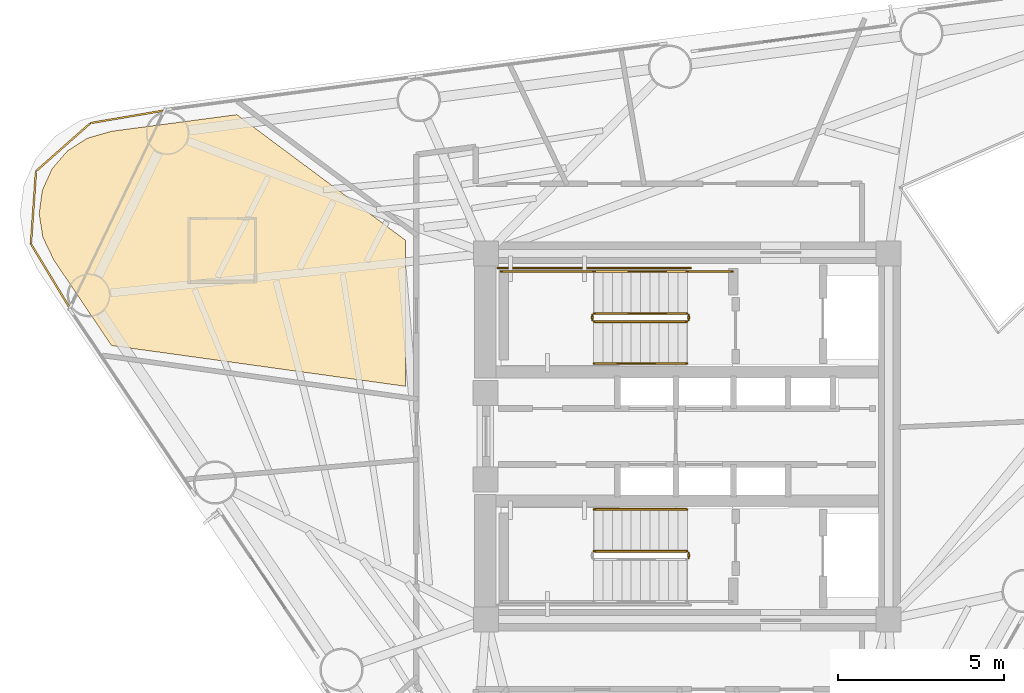
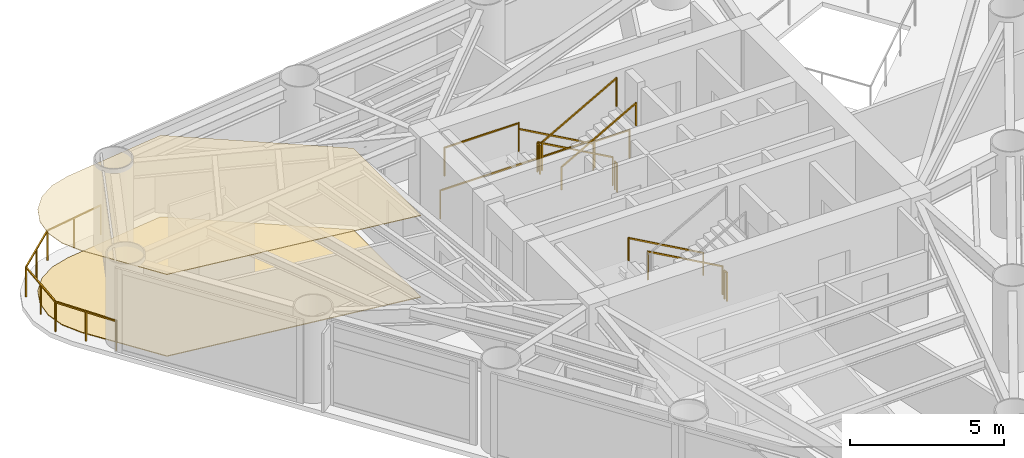
# One storey, part 8 of 9: 13 railings, 2 coverings.
"""IFC4 building model written with IfcOpenShell, lengths in metres."""

from ifc_helpers import new_model, si_unit, direction, frame, origin, origin_2d, place, context, subcontext, project, spatial, polyline, rectangle, outline, extrude, material, layer, layer_set, type_object, element, save


model = new_model("IFC4")

# Units and contexts
model_context = context("Model", 3, precision=1e-05, world=origin(), true_north=direction((0.0, 1.0)))
body_context = subcontext(model_context, "Body", "Model", "MODEL_VIEW")
ifc_project = project(units=[si_unit("LENGTHUNIT", "METRE"), si_unit("AREAUNIT", "SQUARE_METRE"), si_unit("VOLUMEUNIT", "CUBIC_METRE"), si_unit("PLANEANGLEUNIT", "RADIAN"), si_unit("MASSUNIT", "GRAM", prefix="KILO")], contexts=[model_context])

# Site, building, storey
site_placement = place(None, origin())
site = spatial("IfcSite", under=ifc_project, at=site_placement, CompositionType="ELEMENT")
building_placement = place(site_placement, origin())
building = spatial("IfcBuilding", under=site, at=building_placement, Name="Yunling Apex Tower", CompositionType="ELEMENT")
storey_placement = place(building_placement, frame((0.0, 0.0, 179.449951171875)))
storey = spatial("IfcBuildingStorey", under=building, at=storey_placement, Name="L44", CompositionType="ELEMENT", Elevation=179.449951171875)

# Coverings
ifc_material_1 = material(Name="Acoustic mineral fibre ceiling")
ifc_layer_1 = layer(ifc_material_1, 0.02490234375)
ifc_layer_set_1 = layer_set([ifc_layer_1], Name="Acoustic mineral fibre ceiling")
covering_type_1 = type_object("IfcCoveringType", Name="CV-CLG-1", PredefinedType="CEILING", material=ifc_layer_set_1)
covering_1_placement = place(storey_placement, frame((0.0, 0.0, 3.2451171875)))
element("IfcCovering", 1, at=covering_1_placement, inside=storey, type_object=covering_type_1, Name="CV-CL-SP-L44-GR10", PredefinedType="CEILING", context=body_context, shape_type="SweptSolid", body=[
    extrude(outline(polyline([(-19.392822265625, 7.396484375), (-19.10009765625, 8.046630859375), (-18.6337890625, 8.585693359375), (-18.032470703125, 8.96875), (-17.306396484375, 9.175048828125), (-13.54541015625, 9.6728515625), (-8.47998046875, 5.901611328125), (-8.47998046875, 1.50830078125), (-17.31201171875, 2.73193359375), (-19.0478515625, 5.305419921875), (-19.375, 5.985595703125), (-19.487060546875, 6.689697265625), (-19.392822265625, 7.396484375)])), origin(), (0.0, 0.0, 1.0), 0.02490234375),
])
ifc_material_2 = material(Name="Polished granite stone", Category="masonry")
ifc_layer_2 = layer(ifc_material_2, 0.030029296875)
ifc_layer_set_2 = layer_set([ifc_layer_2], Name="Polished granite stone")
covering_type_2 = type_object("IfcCoveringType", Name="CV-FLR-1", PredefinedType="FLOORING", material=ifc_layer_set_2)
covering_2_placement = place(storey_placement, origin())
element("IfcCovering", 2, at=covering_2_placement, inside=storey, type_object=covering_type_2, Name="CV-FL-SP-L44-GR10", PredefinedType="FLOORING", context=body_context, shape_type="SweptSolid", body=[
    extrude(outline(polyline([(-19.392822265625, 7.396484375), (-19.10009765625, 8.046630859375), (-18.6337890625, 8.585693359375), (-18.032470703125, 8.96875), (-17.306396484375, 9.175048828125), (-13.54541015625, 9.6728515625), (-8.47998046875, 5.901611328125), (-8.47998046875, 1.50830078125), (-17.31201171875, 2.73193359375), (-19.0478515625, 5.305419921875), (-19.375, 5.985595703125), (-19.487060546875, 6.689697265625), (-19.392822265625, 7.396484375)])), origin(), (0.0, 0.0, 1.0), 0.030029296875),
])

# Railings
ifc_material_3 = material(Name="Bronze anodised aluminium", Category="aluminium")
railing_type_1 = type_object("IfcRailingType", Name="RL-BAL-1200", PredefinedType="BALUSTRADE", material=ifc_material_3)
railing_1_placement = place(storey_placement, frame((-18.567138671875, 3.859375, 0.0)))
element("IfcRailing", 3, at=railing_1_placement, inside=storey, type_object=railing_type_1, Name="RL-CRNSILL-L44-2", PredefinedType="BALUSTRADE", context=body_context, shape_type="SweptSolid", body=[
    extrude(rectangle(XDim=0.0439453125, YDim=0.0439453125, at=origin_2d()), origin(), (0.0, 0.0, 1.0), 1.199951171875),
    extrude(rectangle(XDim=0.0439453125, YDim=0.0439453125, at=origin_2d()), frame((-1.1669921875, 1.927001953125, 0.0)), (0.0, 0.0, 1.0), 1.199951171875),
    extrude(rectangle(XDim=0.050048828125, YDim=0.050048828125, at=origin_2d()), frame((-0.019775390625, 0.03271484375, 1.1748046875), z_axis=(-0.518013473605, 0.855372457566, 0.0), x_axis=(-0.855372457566, -0.518013473605, 0.0)), (0.0, 0.0, 1.0), 2.17626953125),
    extrude(rectangle(XDim=0.0439453125, YDim=0.0439453125, at=origin_2d()), frame((-0.58349609375, 0.96337890625, 0.0)), (0.0, 0.0, 1.0), 1.14599609375),
    extrude(rectangle(XDim=0.0439453125, YDim=0.0439453125, at=origin_2d()), frame((-1.015380859375, 4.114501953125, 0.0)), (0.0, 0.0, 1.0), 1.199951171875),
    extrude(rectangle(XDim=0.050048828125, YDim=0.050048828125, at=origin_2d()), frame((-1.164306640625, 1.96533203125, 1.1748046875), z_axis=(0.069142168872, 0.997606816578, 0.0), x_axis=(-0.997606816578, 0.069142168872, 0.0)), (0.0, 0.0, 1.0), 2.115966796875),
    extrude(rectangle(XDim=0.0439453125, YDim=0.0439453125, at=origin_2d()), frame((-1.09130859375, 3.020751953125, 0.0)), (0.0, 0.0, 1.0), 1.14599609375),
    extrude(rectangle(XDim=0.0439453125, YDim=0.0439453125, at=origin_2d()), frame((0.623046875, 5.560791015625, 0.0)), (0.0, 0.0, 1.0), 1.199951171875),
    extrude(rectangle(XDim=0.050048828125, YDim=0.050048828125, at=origin_2d()), frame((-0.986572265625, 4.139892578125, 1.1748046875), z_axis=(0.749697655483, 0.661780496361, 0.0), x_axis=(-0.661780496361, 0.749697655483, 0.0)), (0.0, 0.0, 1.0), 2.10888671875),
    extrude(rectangle(XDim=0.0439453125, YDim=0.0439453125, at=origin_2d()), frame((-0.1962890625, 4.837646484375, 0.0)), (0.0, 0.0, 1.0), 1.14599609375),
    extrude(rectangle(XDim=0.0439453125, YDim=0.0439453125, at=origin_2d()), frame((2.8447265625, 5.93896484375, 0.0)), (0.0, 0.0, 1.0), 1.199951171875),
    extrude(rectangle(XDim=0.050048828125, YDim=0.050048828125, at=origin_2d()), frame((0.660888671875, 5.567138671875, 1.1748046875), z_axis=(0.985820025914, 0.167806068147, 0.0), x_axis=(-0.167806068147, 0.985820025914, 0.0)), (0.0, 0.0, 1.0), 2.177001953125),
    extrude(rectangle(XDim=0.0439453125, YDim=0.0439453125, at=origin_2d()), frame((1.73388671875, 5.75, 0.0)), (0.0, 0.0, 1.0), 1.14599609375),
])
ifc_material_4 = material(Name="Steel Q355B", Category="steel")
railing_type_2 = type_object("IfcRailingType", Name="RL-GRD-1150", PredefinedType="GUARDRAIL", material=ifc_material_4)
railing_2_placement = place(storey_placement, frame((-0.010009765625, 3.699951171875, 0.156982421875)))
element("IfcRailing", 4, at=railing_2_placement, inside=storey, type_object=railing_type_2, Name="L44 ST-1 stair guard 1", PredefinedType="GUARDRAIL", context=body_context, shape_type="SweptSolid", body=[
    extrude(rectangle(XDim=0.0439453125, YDim=0.0439453125, at=origin_2d()), origin(), (0.0, 0.0, 1.0), 1.14990234375),
    extrude(rectangle(XDim=0.0439453125, YDim=0.0439453125, at=origin_2d()), frame((-2.800048828125, 0.0, 1.568115234375)), (0.0, 0.0, 1.0), 1.14990234375),
    extrude(rectangle(XDim=0.050048828125, YDim=0.050048828125, at=origin_2d()), frame((-0.033447265625, 0.0, 1.1435546875), z_axis=(-0.872494340497, 0.0, 0.48862421737), x_axis=(0.0, -1.0, 0.0)), (0.0, 0.0, 1.0), 3.132568359375),
])
railing_3_placement = place(storey_placement, frame((-2.860107421875, 3.64990234375, 1.72509765625)))
element("IfcRailing", 5, at=railing_3_placement, inside=storey, type_object=railing_type_2, Name="L44 ST-1 stair guard 2", PredefinedType="GUARDRAIL", context=body_context, shape_type="SweptSolid", body=[
    extrude(rectangle(XDim=0.0439453125, YDim=0.0439453125, at=origin_2d()), origin(), (0.0, 0.0, 1.0), 1.14990234375),
    extrude(rectangle(XDim=0.0439453125, YDim=0.0439453125, at=origin_2d()), frame((0.0, -0.14990234375, 0.0)), (0.0, 0.0, 1.0), 1.14990234375),
    extrude(rectangle(XDim=0.050048828125, YDim=0.050048828125, at=origin_2d()), frame((0.0, -0.038330078125, 1.125), z_axis=(0.0, -1.0, 0.0), x_axis=(1.0, 0.0, 0.0)), (0.0, 0.0, 1.0), 0.0732421875),
])
railing_4_placement = place(storey_placement, frame((-2.81005859375, 4.9599609375, 1.72509765625)))
element("IfcRailing", 6, at=railing_4_placement, inside=storey, type_object=railing_type_2, Name="L44 ST-1 stair guard 3", PredefinedType="GUARDRAIL", context=body_context, shape_type="SweptSolid", body=[
    extrude(rectangle(XDim=0.0439453125, YDim=0.0439453125, at=origin_2d()), origin(), (0.0, 0.0, 1.0), 1.14990234375),
    extrude(rectangle(XDim=0.0439453125, YDim=0.0439453125, at=origin_2d()), frame((-2.7900390625, 0.0, 0.0)), (0.0, 0.0, 1.0), 1.14990234375),
    extrude(rectangle(XDim=0.050048828125, YDim=0.050048828125, at=origin_2d()), frame((-0.038330078125, 0.0, 1.125), z_axis=(-1.0, 0.0, 0.0), x_axis=(0.0, -1.0, 0.0)), (0.0, 0.0, 1.0), 2.71337890625),
])
railing_5_placement = place(storey_placement, frame((-2.81005859375, 3.449951171875, 1.8818359375)))
element("IfcRailing", 7, at=railing_5_placement, inside=storey, type_object=railing_type_2, Name="L44 ST-1 stair guard 4", PredefinedType="GUARDRAIL", context=body_context, shape_type="SweptSolid", body=[
    extrude(rectangle(XDim=0.0439453125, YDim=0.0439453125, at=origin_2d()), origin(), (0.0, 0.0, 1.0), 1.14990234375),
    extrude(rectangle(XDim=0.0439453125, YDim=0.0439453125, at=origin_2d()), frame((2.800048828125, 0.0, 1.568115234375)), (0.0, 0.0, 1.0), 1.14990234375),
    extrude(rectangle(XDim=0.050048828125, YDim=0.050048828125, at=origin_2d()), frame((0.033447265625, 0.0, 1.1435546875), z_axis=(0.872494340497, 0.0, 0.48862421737), x_axis=(0.0, 1.0, 0.0)), (0.0, 0.0, 1.0), 3.132568359375),
])
railing_6_placement = place(storey_placement, frame((0.0400390625, 3.64990234375, 0.0)))
element("IfcRailing", 8, at=railing_6_placement, inside=storey, type_object=railing_type_2, Name="L44 ST-1 stair guard 5", PredefinedType="GUARDRAIL", context=body_context, shape_type="SweptSolid", body=[
    extrude(rectangle(XDim=0.0439453125, YDim=0.0439453125, at=origin_2d()), origin(), (0.0, 0.0, 1.0), 1.14990234375),
    extrude(rectangle(XDim=0.0439453125, YDim=0.0439453125, at=origin_2d()), frame((0.0, -0.14990234375, 0.0)), (0.0, 0.0, 1.0), 1.14990234375),
    extrude(rectangle(XDim=0.050048828125, YDim=0.050048828125, at=origin_2d()), frame((0.0, -0.038330078125, 1.125), z_axis=(0.0, -1.0, 0.0), x_axis=(1.0, 0.0, 0.0)), (0.0, 0.0, 1.0), 0.0732421875),
])
railing_7_placement = place(storey_placement, frame((1.35009765625, 4.9599609375, 0.0)))
element("IfcRailing", 9, at=railing_7_placement, inside=storey, type_object=railing_type_2, Name="L44 ST-1 stair guard 6", PredefinedType="GUARDRAIL", context=body_context, shape_type="SweptSolid", body=[
    extrude(rectangle(XDim=0.0439453125, YDim=0.0439453125, at=origin_2d()), origin(), (0.0, 0.0, 1.0), 1.14990234375),
    extrude(rectangle(XDim=0.0439453125, YDim=0.0439453125, at=origin_2d()), frame((-1.360107421875, 0.0, 0.0)), (0.0, 0.0, 1.0), 1.14990234375),
    extrude(rectangle(XDim=0.050048828125, YDim=0.050048828125, at=origin_2d()), frame((-0.038330078125, 0.0, 1.125), z_axis=(-1.0, 0.0, 0.0), x_axis=(0.0, -1.0, 0.0)), (0.0, 0.0, 1.0), 1.283447265625),
])
railing_8_placement = place(storey_placement, frame((0.090087890625, 5.06005859375, 0.0)))
element("IfcRailing", 10, at=railing_8_placement, inside=storey, type_object=railing_type_2, Name="L44 ST-1 stair guard 7", PredefinedType="GUARDRAIL", context=body_context, shape_type="SweptSolid", body=[
    extrude(rectangle(XDim=0.0439453125, YDim=0.0439453125, at=origin_2d()), origin(), (0.0, 0.0, 1.0), 1.14990234375),
    extrude(rectangle(XDim=0.0439453125, YDim=0.0439453125, at=origin_2d()), frame((-5.7900390625, 0.0, 0.0)), (0.0, 0.0, 1.0), 1.14990234375),
    extrude(rectangle(XDim=0.050048828125, YDim=0.050048828125, at=origin_2d()), frame((-0.038330078125, 0.0, 1.125), z_axis=(-1.0, 0.0, 0.0), x_axis=(0.0, -1.0, 0.0)), (0.0, 0.0, 1.0), 5.71337890625),
])
railing_9_placement = place(storey_placement, frame((-0.010009765625, -3.449951171875, 0.156982421875)))
element("IfcRailing", 11, at=railing_9_placement, inside=storey, type_object=railing_type_2, Name="L44 ST-2 stair guard 1", PredefinedType="GUARDRAIL", context=body_context, shape_type="SweptSolid", body=[
    extrude(rectangle(XDim=0.0439453125, YDim=0.0439453125, at=origin_2d()), origin(), (0.0, 0.0, 1.0), 1.14990234375),
    extrude(rectangle(XDim=0.0439453125, YDim=0.0439453125, at=origin_2d()), frame((-2.800048828125, 0.0, 1.568115234375)), (0.0, 0.0, 1.0), 1.14990234375),
    extrude(rectangle(XDim=0.050048828125, YDim=0.050048828125, at=origin_2d()), frame((-0.033447265625, 0.0, 1.1435546875), z_axis=(-0.872494340497, 0.0, 0.48862421737), x_axis=(0.0, -1.0, 0.0)), (0.0, 0.0, 1.0), 3.132568359375),
])
railing_10_placement = place(storey_placement, frame((0.0400390625, -3.5, 0.0)))
element("IfcRailing", 12, at=railing_10_placement, inside=storey, type_object=railing_type_2, Name="L44 ST-2 stair guard 5", PredefinedType="GUARDRAIL", context=body_context, shape_type="SweptSolid", body=[
    extrude(rectangle(XDim=0.0439453125, YDim=0.0439453125, at=origin_2d()), origin(), (0.0, 0.0, 1.0), 1.14990234375),
    extrude(rectangle(XDim=0.0439453125, YDim=0.0439453125, at=origin_2d()), frame((0.0, -0.14990234375, 0.0)), (0.0, 0.0, 1.0), 1.14990234375),
    extrude(rectangle(XDim=0.050048828125, YDim=0.050048828125, at=origin_2d()), frame((0.0, -0.038330078125, 1.125), z_axis=(0.0, -1.0, 0.0), x_axis=(1.0, 0.0, 0.0)), (0.0, 0.0, 1.0), 0.0732421875),
])
ifc_material_5 = material(Name="Silver anodised aluminium", Category="aluminium")
railing_type_3 = type_object("IfcRailingType", Name="RL-HND-900", PredefinedType="HANDRAIL", material=ifc_material_5)
railing_11_placement = place(storey_placement, frame((-0.010009765625, 4.9599609375, 0.156982421875)))
element("IfcRailing", 13, at=railing_11_placement, inside=storey, type_object=railing_type_3, Name="L44 ST-1 stair handrail 1", PredefinedType="HANDRAIL", context=body_context, shape_type="SweptSolid", body=[
    extrude(rectangle(XDim=0.0439453125, YDim=0.0439453125, at=origin_2d()), origin(), (0.0, 0.0, 1.0), 0.919921875),
    extrude(rectangle(XDim=0.0439453125, YDim=0.0439453125, at=origin_2d()), frame((-2.800048828125, 0.0, 1.568115234375)), (0.0, 0.0, 1.0), 0.919921875),
    extrude(rectangle(XDim=0.050048828125, YDim=0.050048828125, at=origin_2d()), frame((-0.033447265625, 0.0, 0.91357421875), z_axis=(-0.872494340497, 0.0, 0.48862421737), x_axis=(0.0, -1.0, 0.0)), (0.0, 0.0, 1.0), 3.132568359375),
])
railing_12_placement = place(storey_placement, frame((-2.81005859375, 2.18994140625, 1.8818359375)))
element("IfcRailing", 14, at=railing_12_placement, inside=storey, type_object=railing_type_3, Name="L44 ST-1 stair handrail 2", PredefinedType="HANDRAIL", context=body_context, shape_type="SweptSolid", body=[
    extrude(rectangle(XDim=0.0439453125, YDim=0.0439453125, at=origin_2d()), origin(), (0.0, 0.0, 1.0), 0.919921875),
    extrude(rectangle(XDim=0.0439453125, YDim=0.0439453125, at=origin_2d()), frame((2.800048828125, 0.0, 1.568115234375)), (0.0, 0.0, 1.0), 0.919921875),
    extrude(rectangle(XDim=0.050048828125, YDim=0.050048828125, at=origin_2d()), frame((0.033447265625, 0.0, 0.91357421875), z_axis=(0.872494340497, 0.0, 0.48862421737), x_axis=(0.0, 1.0, 0.0)), (0.0, 0.0, 1.0), 3.132568359375),
])
railing_13_placement = place(storey_placement, frame((-0.010009765625, -2.18994140625, 0.156982421875)))
element("IfcRailing", 15, at=railing_13_placement, inside=storey, type_object=railing_type_3, Name="L44 ST-2 stair handrail 1", PredefinedType="HANDRAIL", context=body_context, shape_type="SweptSolid", body=[
    extrude(rectangle(XDim=0.0439453125, YDim=0.0439453125, at=origin_2d()), origin(), (0.0, 0.0, 1.0), 0.919921875),
    extrude(rectangle(XDim=0.0439453125, YDim=0.0439453125, at=origin_2d()), frame((-2.800048828125, 0.0, 1.568115234375)), (0.0, 0.0, 1.0), 0.919921875),
    extrude(rectangle(XDim=0.050048828125, YDim=0.050048828125, at=origin_2d()), frame((-0.033447265625, 0.0, 0.91357421875), z_axis=(-0.872494340497, 0.0, 0.48862421737), x_axis=(0.0, -1.0, 0.0)), (0.0, 0.0, 1.0), 3.132568359375),
])

save(model, "model.ifc")
